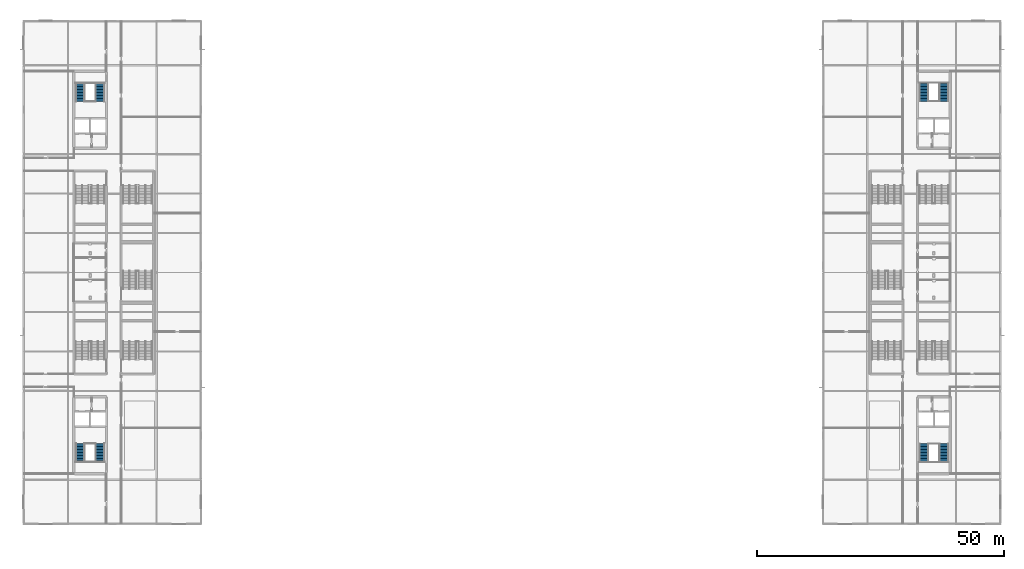
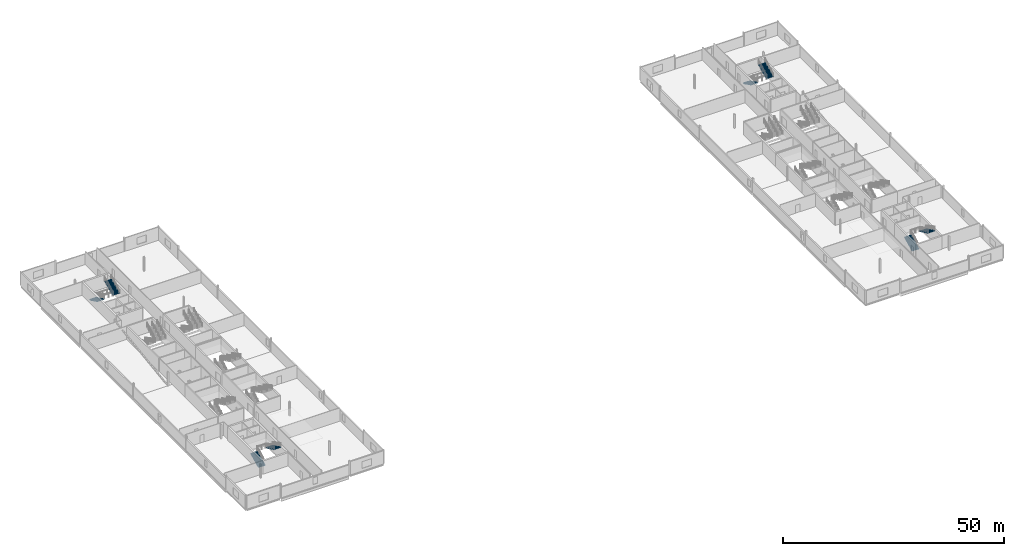
# One storey, part 17 of 27: 8 stair flights, 4 elements without a shape of their own.
"""IFC4 building model written with IfcOpenShell, lengths in metres."""

from ifc_helpers import new_model, si_unit, direction, frame, origin, place, context, subcontext, project, spatial, polyline, outline, extrude, material, type_object, element, aggregate, save


model = new_model("IFC4")

# Units and contexts
model_context = context("Model", 3, precision=1e-05, world=origin(), true_north=direction((0.0, 1.0)))
body_context = subcontext(model_context, "Body", "Model", "MODEL_VIEW")
ifc_project = project(units=[si_unit("LENGTHUNIT", "METRE"), si_unit("AREAUNIT", "SQUARE_METRE"), si_unit("VOLUMEUNIT", "CUBIC_METRE"), si_unit("PLANEANGLEUNIT", "RADIAN"), si_unit("MASSUNIT", "GRAM", prefix="KILO")], contexts=[model_context])

# Site, building, storey
site_placement = place(None, origin())
site = spatial("IfcSite", under=ifc_project, at=site_placement, CompositionType="ELEMENT")
building_placement = place(site_placement, origin())
building = spatial("IfcBuilding", under=site, at=building_placement, Name="Kisiwana Market Hall", CompositionType="ELEMENT")
storey_placement = place(building_placement, frame((0.0, 0.0, 41.699951171875)))
storey = spatial("IfcBuildingStorey", under=building, at=storey_placement, Name="L09", CompositionType="ELEMENT", Elevation=41.699951171875)

# Stair, stair flights
ifc_material_1 = material(Name="Concrete C32/40", Category="concrete")
stair_type = type_object("IfcStairType", Name="ST-TWR-3900", PredefinedType="TWO_STRAIGHT_RUN_STAIR", material=ifc_material_1)
stair_1_placement = place(storey_placement, origin())
stair_1 = element("IfcStair", 1, at=stair_1_placement, inside=storey, type_object=stair_type, Name="Escape stair ST-W2-L09", PredefinedType="TWO_STRAIGHT_RUN_STAIR")
ifc_material_2 = material(Name="Concrete C32/40", Category="concrete")
stair_flight_type = type_object("IfcStairFlightType", Name="SF-TWR-3900", PredefinedType="STRAIGHT", material=ifc_material_2)
stair_flight_1_placement = place(storey_placement, frame((11.5, 21.674560546875, 0.0), z_axis=(0.0, 0.0, 1.0), x_axis=(0.0, 1.0, 0.0)))
stair_flight_1 = element("IfcStairFlight", 2, at=stair_flight_1_placement, type_object=stair_flight_type, Name="ST-W2-L09 flight 1", NumberOfRisers=13, NumberOfTreads=12, PredefinedType="STRAIGHT", RiserHeight=0.15, TreadLength=0.305, context=body_context, shape_type="SweptSolid", body=[
    extrude(outline(polyline([(0.0, 0.0), (0.0, 0.14990234375), (0.304931640625, 0.14990234375), (0.304931640625, 0.300048828125), (0.610107421875, 0.300048828125), (0.610107421875, 0.449951171875), (0.9150390625, 0.449951171875), (0.9150390625, 0.60009765625), (1.219970703125, 0.60009765625), (1.219970703125, 0.75), (1.52490234375, 0.75), (1.52490234375, 0.89990234375), (1.830078125, 0.89990234375), (1.830078125, 1.050048828125), (2.135009765625, 1.050048828125), (2.135009765625, 1.199951171875), (2.43994140625, 1.199951171875), (2.43994140625, 1.35009765625), (2.7451171875, 1.35009765625), (2.7451171875, 1.5), (3.050048828125, 1.5), (3.050048828125, 1.64990234375), (3.35498046875, 1.64990234375), (3.35498046875, 1.800048828125), (3.659912109375, 1.800048828125), (3.659912109375, 1.949951171875), (3.659912109375, 1.599365234375), (0.40771484375, 0.0), (0.0, 0.0)])), frame((0.0, 0.925048828125, 0.0), z_axis=(0.0, -1.0, 0.0), x_axis=(1.0, 0.0, 0.0)), (0.0, 0.0, 1.0), 1.85009765625),
])
stair_flight_2_placement = place(storey_placement, frame((15.5, 25.33447265625, 1.949951171875), z_axis=(0.0, 0.0, 1.0), x_axis=(0.0, -1.0, 0.0)))
stair_flight_2 = element("IfcStairFlight", 3, at=stair_flight_2_placement, type_object=stair_flight_type, Name="ST-W2-L09 flight 2", NumberOfRisers=13, NumberOfTreads=12, PredefinedType="STRAIGHT", RiserHeight=0.15, TreadLength=0.305, context=body_context, shape_type="SweptSolid", body=[
    extrude(outline(polyline([(0.0, 0.0), (0.0, 0.14990234375), (0.304931640625, 0.14990234375), (0.304931640625, 0.300048828125), (0.610107421875, 0.300048828125), (0.610107421875, 0.449951171875), (0.9150390625, 0.449951171875), (0.9150390625, 0.60009765625), (1.219970703125, 0.60009765625), (1.219970703125, 0.75), (1.52490234375, 0.75), (1.52490234375, 0.89990234375), (1.830078125, 0.89990234375), (1.830078125, 1.050048828125), (2.135009765625, 1.050048828125), (2.135009765625, 1.199951171875), (2.43994140625, 1.199951171875), (2.43994140625, 1.35009765625), (2.7451171875, 1.35009765625), (2.7451171875, 1.5), (3.050048828125, 1.5), (3.050048828125, 1.64990234375), (3.35498046875, 1.64990234375), (3.35498046875, 1.800048828125), (3.659912109375, 1.800048828125), (3.659912109375, 1.949951171875), (3.659912109375, 1.599365234375), (0.40771484375, 0.0), (0.0, 0.0)])), frame((0.0, 0.925048828125, 0.0), z_axis=(0.0, -1.0, 0.0), x_axis=(1.0, 0.0, 0.0)), (0.0, 0.0, 1.0), 1.85009765625),
])
aggregate(stair_1, [stair_flight_1, stair_flight_2])

stair_2_placement = place(storey_placement, origin())
stair_2 = element("IfcStair", 4, at=stair_2_placement, inside=storey, type_object=stair_type, Name="Escape stair ST-W1-L09", PredefinedType="TWO_STRAIGHT_RUN_STAIR")
stair_flight_3_placement = place(storey_placement, frame((11.5, 98.325439453125, 0.0), z_axis=(0.0, 0.0, 1.0), x_axis=(0.0, -1.0, 0.0)))
stair_flight_3 = element("IfcStairFlight", 5, at=stair_flight_3_placement, type_object=stair_flight_type, Name="ST-W1-L09 flight 1", NumberOfRisers=13, NumberOfTreads=12, PredefinedType="STRAIGHT", RiserHeight=0.15, TreadLength=0.305, context=body_context, shape_type="SweptSolid", body=[
    extrude(outline(polyline([(0.0, 0.0), (0.0, 0.14990234375), (0.304931640625, 0.14990234375), (0.304931640625, 0.300048828125), (0.610107421875, 0.300048828125), (0.610107421875, 0.449951171875), (0.9150390625, 0.449951171875), (0.9150390625, 0.60009765625), (1.219970703125, 0.60009765625), (1.219970703125, 0.75), (1.52490234375, 0.75), (1.52490234375, 0.89990234375), (1.830078125, 0.89990234375), (1.830078125, 1.050048828125), (2.135009765625, 1.050048828125), (2.135009765625, 1.199951171875), (2.43994140625, 1.199951171875), (2.43994140625, 1.35009765625), (2.7451171875, 1.35009765625), (2.7451171875, 1.5), (3.050048828125, 1.5), (3.050048828125, 1.64990234375), (3.35498046875, 1.64990234375), (3.35498046875, 1.800048828125), (3.659912109375, 1.800048828125), (3.659912109375, 1.949951171875), (3.659912109375, 1.599365234375), (0.40771484375, 0.0), (0.0, 0.0)])), frame((0.0, 0.925048828125, 0.0), z_axis=(0.0, -1.0, 0.0), x_axis=(1.0, 0.0, 0.0)), (0.0, 0.0, 1.0), 1.85009765625),
])
stair_flight_4_placement = place(storey_placement, frame((15.5, 94.66552734375, 1.949951171875), z_axis=(0.0, 0.0, 1.0), x_axis=(0.0, 1.0, 0.0)))
stair_flight_4 = element("IfcStairFlight", 6, at=stair_flight_4_placement, type_object=stair_flight_type, Name="ST-W1-L09 flight 2", NumberOfRisers=13, NumberOfTreads=12, PredefinedType="STRAIGHT", RiserHeight=0.15, TreadLength=0.305, context=body_context, shape_type="SweptSolid", body=[
    extrude(outline(polyline([(0.0, 0.0), (0.0, 0.14990234375), (0.304931640625, 0.14990234375), (0.304931640625, 0.300048828125), (0.610107421875, 0.300048828125), (0.610107421875, 0.449951171875), (0.9150390625, 0.449951171875), (0.9150390625, 0.60009765625), (1.219970703125, 0.60009765625), (1.219970703125, 0.75), (1.52490234375, 0.75), (1.52490234375, 0.89990234375), (1.830078125, 0.89990234375), (1.830078125, 1.050048828125), (2.135009765625, 1.050048828125), (2.135009765625, 1.199951171875), (2.43994140625, 1.199951171875), (2.43994140625, 1.35009765625), (2.7451171875, 1.35009765625), (2.7451171875, 1.5), (3.050048828125, 1.5), (3.050048828125, 1.64990234375), (3.35498046875, 1.64990234375), (3.35498046875, 1.800048828125), (3.659912109375, 1.800048828125), (3.659912109375, 1.949951171875), (3.659912109375, 1.599365234375), (0.40771484375, 0.0), (0.0, 0.0)])), frame((0.0, 0.925048828125, 0.0), z_axis=(0.0, -1.0, 0.0), x_axis=(1.0, 0.0, 0.0)), (0.0, 0.0, 1.0), 1.85009765625),
])
aggregate(stair_2, [stair_flight_3, stair_flight_4])

stair_3_placement = place(storey_placement, origin())
stair_3 = element("IfcStair", 7, at=stair_3_placement, inside=storey, type_object=stair_type, Name="Escape stair ST-E2-L09", PredefinedType="TWO_STRAIGHT_RUN_STAIR")
stair_flight_5_placement = place(storey_placement, frame((182.47509765625, 21.6494140625, 0.0), z_axis=(0.0, 0.0, 1.0), x_axis=(0.0, 1.0, 0.0)))
stair_flight_5 = element("IfcStairFlight", 8, at=stair_flight_5_placement, type_object=stair_flight_type, Name="ST-E2-L09 flight 1", NumberOfRisers=13, NumberOfTreads=12, PredefinedType="STRAIGHT", RiserHeight=0.15, TreadLength=0.305, context=body_context, shape_type="SweptSolid", body=[
    extrude(outline(polyline([(0.0, 0.0), (0.0, 0.14990234375), (0.304931640625, 0.14990234375), (0.304931640625, 0.300048828125), (0.610107421875, 0.300048828125), (0.610107421875, 0.449951171875), (0.9150390625, 0.449951171875), (0.9150390625, 0.60009765625), (1.219970703125, 0.60009765625), (1.219970703125, 0.75), (1.52490234375, 0.75), (1.52490234375, 0.89990234375), (1.830078125, 0.89990234375), (1.830078125, 1.050048828125), (2.135009765625, 1.050048828125), (2.135009765625, 1.199951171875), (2.43994140625, 1.199951171875), (2.43994140625, 1.35009765625), (2.7451171875, 1.35009765625), (2.7451171875, 1.5), (3.050048828125, 1.5), (3.050048828125, 1.64990234375), (3.35498046875, 1.64990234375), (3.35498046875, 1.800048828125), (3.659912109375, 1.800048828125), (3.659912109375, 1.949951171875), (3.659912109375, 1.599365234375), (0.40771484375, 0.0), (0.0, 0.0)])), frame((0.0, 0.925048828125, 0.0), z_axis=(0.0, -1.0, 0.0), x_axis=(1.0, 0.0, 0.0)), (0.0, 0.0, 1.0), 1.85009765625),
])
stair_flight_6_placement = place(storey_placement, frame((186.52490234375, 25.3095703125, 1.949951171875), z_axis=(0.0, 0.0, 1.0), x_axis=(0.0, -1.0, 0.0)))
stair_flight_6 = element("IfcStairFlight", 9, at=stair_flight_6_placement, type_object=stair_flight_type, Name="ST-E2-L09 flight 2", NumberOfRisers=13, NumberOfTreads=12, PredefinedType="STRAIGHT", RiserHeight=0.15, TreadLength=0.305, context=body_context, shape_type="SweptSolid", body=[
    extrude(outline(polyline([(0.0, 0.0), (0.0, 0.14990234375), (0.304931640625, 0.14990234375), (0.304931640625, 0.300048828125), (0.610107421875, 0.300048828125), (0.610107421875, 0.449951171875), (0.9150390625, 0.449951171875), (0.9150390625, 0.60009765625), (1.219970703125, 0.60009765625), (1.219970703125, 0.75), (1.52490234375, 0.75), (1.52490234375, 0.89990234375), (1.830078125, 0.89990234375), (1.830078125, 1.050048828125), (2.135009765625, 1.050048828125), (2.135009765625, 1.199951171875), (2.43994140625, 1.199951171875), (2.43994140625, 1.35009765625), (2.7451171875, 1.35009765625), (2.7451171875, 1.5), (3.050048828125, 1.5), (3.050048828125, 1.64990234375), (3.35498046875, 1.64990234375), (3.35498046875, 1.800048828125), (3.659912109375, 1.800048828125), (3.659912109375, 1.949951171875), (3.659912109375, 1.599365234375), (0.40771484375, 0.0), (0.0, 0.0)])), frame((0.0, 0.925048828125, 0.0), z_axis=(0.0, -1.0, 0.0), x_axis=(1.0, 0.0, 0.0)), (0.0, 0.0, 1.0), 1.85009765625),
])
aggregate(stair_3, [stair_flight_5, stair_flight_6])

stair_4_placement = place(storey_placement, origin())
stair_4 = element("IfcStair", 10, at=stair_4_placement, inside=storey, type_object=stair_type, Name="Escape stair ST-E1-L09", PredefinedType="TWO_STRAIGHT_RUN_STAIR")
stair_flight_7_placement = place(storey_placement, frame((182.47509765625, 98.3505859375, 0.0), z_axis=(0.0, 0.0, 1.0), x_axis=(0.0, -1.0, 0.0)))
stair_flight_7 = element("IfcStairFlight", 11, at=stair_flight_7_placement, type_object=stair_flight_type, Name="ST-E1-L09 flight 1", NumberOfRisers=13, NumberOfTreads=12, PredefinedType="STRAIGHT", RiserHeight=0.15, TreadLength=0.305, context=body_context, shape_type="SweptSolid", body=[
    extrude(outline(polyline([(0.0, 0.0), (0.0, 0.14990234375), (0.304931640625, 0.14990234375), (0.304931640625, 0.300048828125), (0.610107421875, 0.300048828125), (0.610107421875, 0.449951171875), (0.9150390625, 0.449951171875), (0.9150390625, 0.60009765625), (1.219970703125, 0.60009765625), (1.219970703125, 0.75), (1.52490234375, 0.75), (1.52490234375, 0.89990234375), (1.830078125, 0.89990234375), (1.830078125, 1.050048828125), (2.135009765625, 1.050048828125), (2.135009765625, 1.199951171875), (2.43994140625, 1.199951171875), (2.43994140625, 1.35009765625), (2.7451171875, 1.35009765625), (2.7451171875, 1.5), (3.050048828125, 1.5), (3.050048828125, 1.64990234375), (3.35498046875, 1.64990234375), (3.35498046875, 1.800048828125), (3.659912109375, 1.800048828125), (3.659912109375, 1.949951171875), (3.659912109375, 1.599365234375), (0.40771484375, 0.0), (0.0, 0.0)])), frame((0.0, 0.925048828125, 0.0), z_axis=(0.0, -1.0, 0.0), x_axis=(1.0, 0.0, 0.0)), (0.0, 0.0, 1.0), 1.85009765625),
])
stair_flight_8_placement = place(storey_placement, frame((186.52490234375, 94.6904296875, 1.949951171875), z_axis=(0.0, 0.0, 1.0), x_axis=(0.0, 1.0, 0.0)))
stair_flight_8 = element("IfcStairFlight", 12, at=stair_flight_8_placement, type_object=stair_flight_type, Name="ST-E1-L09 flight 2", NumberOfRisers=13, NumberOfTreads=12, PredefinedType="STRAIGHT", RiserHeight=0.15, TreadLength=0.305, context=body_context, shape_type="SweptSolid", body=[
    extrude(outline(polyline([(0.0, 0.0), (0.0, 0.14990234375), (0.304931640625, 0.14990234375), (0.304931640625, 0.300048828125), (0.610107421875, 0.300048828125), (0.610107421875, 0.449951171875), (0.9150390625, 0.449951171875), (0.9150390625, 0.60009765625), (1.219970703125, 0.60009765625), (1.219970703125, 0.75), (1.52490234375, 0.75), (1.52490234375, 0.89990234375), (1.830078125, 0.89990234375), (1.830078125, 1.050048828125), (2.135009765625, 1.050048828125), (2.135009765625, 1.199951171875), (2.43994140625, 1.199951171875), (2.43994140625, 1.35009765625), (2.7451171875, 1.35009765625), (2.7451171875, 1.5), (3.050048828125, 1.5), (3.050048828125, 1.64990234375), (3.35498046875, 1.64990234375), (3.35498046875, 1.800048828125), (3.659912109375, 1.800048828125), (3.659912109375, 1.949951171875), (3.659912109375, 1.599365234375), (0.40771484375, 0.0), (0.0, 0.0)])), frame((0.0, 0.925048828125, 0.0), z_axis=(0.0, -1.0, 0.0), x_axis=(1.0, 0.0, 0.0)), (0.0, 0.0, 1.0), 1.85009765625),
])
aggregate(stair_4, [stair_flight_7, stair_flight_8])

save(model, "model.ifc")
